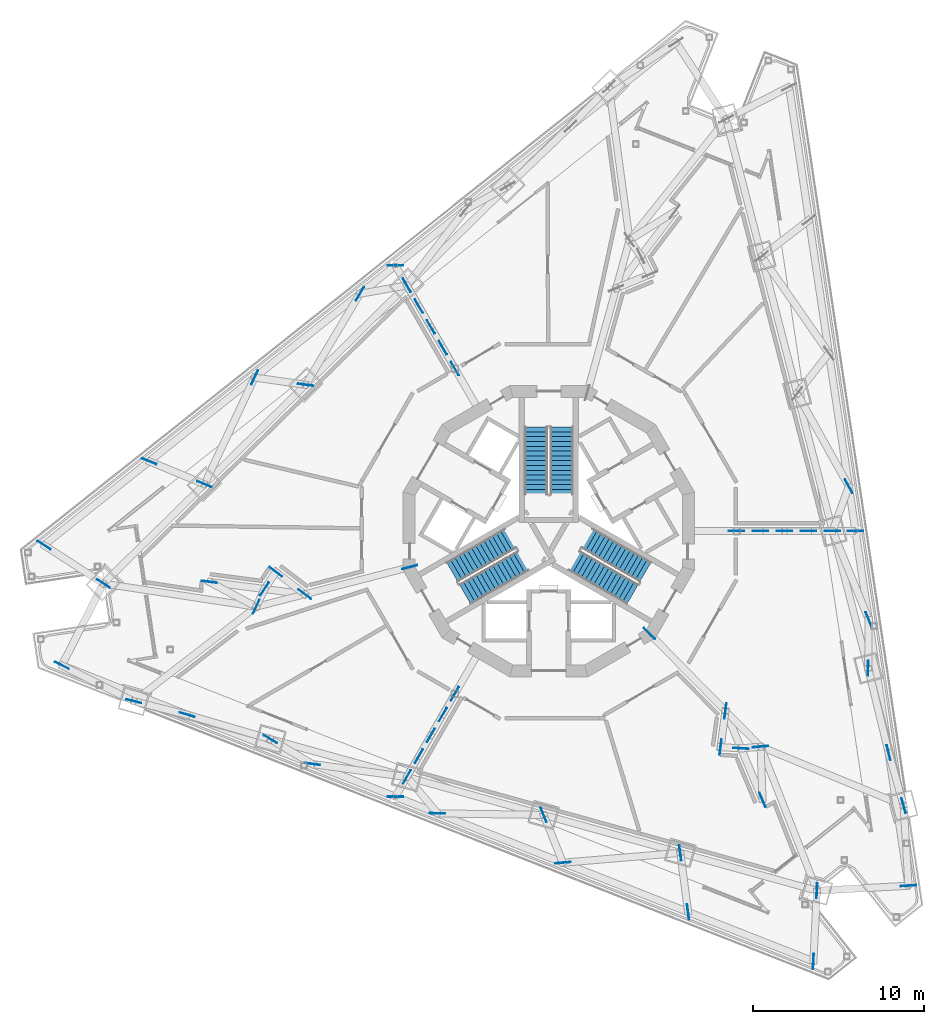
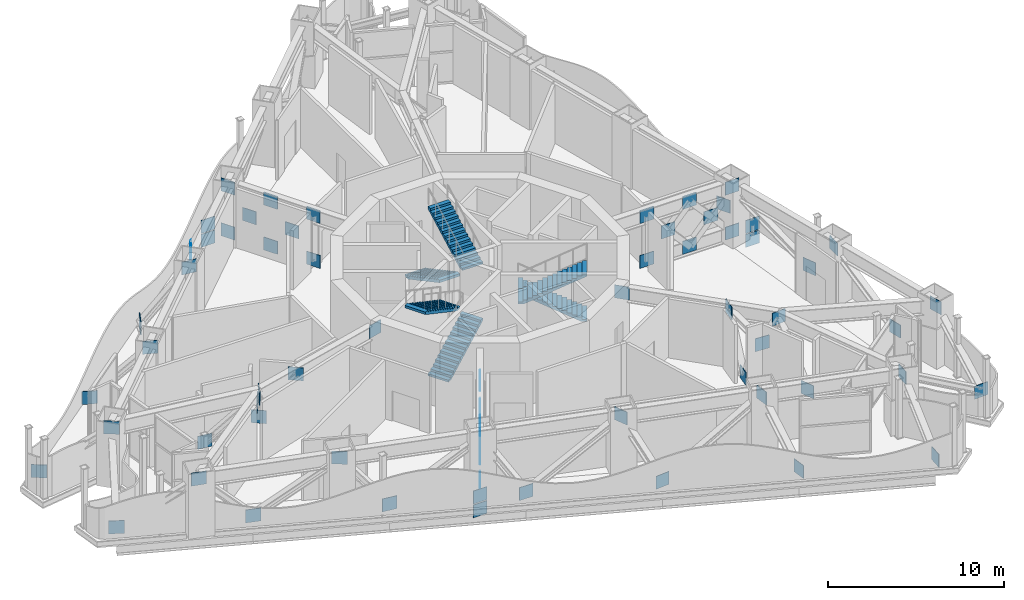
# One storey, part 15 of 27: 67 discrete accessories, 6 stair flights, 3 elements without a shape of their own.
"""IFC4 building model written with IfcOpenShell, lengths in metres."""

from ifc_helpers import new_model, si_unit, direction, frame, origin, origin_2d, place, context, subcontext, project, spatial, polyline, rectangle, outline, extrude, material, type_object, element, aggregate, save


model = new_model("IFC4")

# Units and contexts
model_context = context("Model", 3, precision=1e-05, world=origin(), true_north=direction((0.0, 1.0)))
body_context = subcontext(model_context, "Body", "Model", "MODEL_VIEW")
ifc_project = project(units=[si_unit("LENGTHUNIT", "METRE"), si_unit("AREAUNIT", "SQUARE_METRE"), si_unit("VOLUMEUNIT", "CUBIC_METRE"), si_unit("PLANEANGLEUNIT", "RADIAN"), si_unit("MASSUNIT", "GRAM", prefix="KILO")], contexts=[model_context])

# Site, building, storey
site_placement = place(None, origin())
site = spatial("IfcSite", under=ifc_project, at=site_placement, CompositionType="ELEMENT")
building_placement = place(site_placement, origin())
building = spatial("IfcBuilding", under=site, at=building_placement, Name="Trine Commons Tower", CompositionType="ELEMENT")
storey_placement = place(building_placement, frame((0.0, 0.0, 230.39990234375)))
storey = spatial("IfcBuildingStorey", under=building, at=storey_placement, Name="L60", CompositionType="ELEMENT", Elevation=230.39990234375)

# Stair, stair flights
ifc_material_1 = material(Name="Concrete C50/60", Category="concrete")
stair_type = type_object("IfcStairType", Name="Exit stair, dog-leg, 30 risers of 150 mm", PredefinedType="HALF_TURN_STAIR", material=ifc_material_1)
stair_1_placement = place(storey_placement, origin())
stair_1 = element("IfcStair", 1, at=stair_1_placement, inside=storey, type_object=stair_type, Name="L60 Exit stair ST1C", PredefinedType="HALF_TURN_STAIR")
stair_flight_type = type_object("IfcStairFlightType", Name="Stair flight, 1350 wide, 15 risers of 150 mm", PredefinedType="STRAIGHT", material=ifc_material_1)
stair_flight_1_placement = place(storey_placement, frame((79.25, 68.570556640625, 0.0), z_axis=(0.0, 0.0, 1.0), x_axis=(0.0, -1.0, 0.0)))
stair_flight_1 = element("IfcStairFlight", 2, at=stair_flight_1_placement, type_object=stair_flight_type, Name="ST1C flight 1", NumberOfRisers=15, NumberOfTreads=14, PredefinedType="STRAIGHT", RiserHeight=0.15, TreadLength=0.28, context=body_context, shape_type="SweptSolid", body=[
    extrude(outline(polyline([(0.0, 0.0), (0.0, 0.14990234375), (0.280029296875, 0.14990234375), (0.280029296875, 0.300048828125), (0.56005859375, 0.300048828125), (0.56005859375, 0.449951171875), (0.840087890625, 0.449951171875), (0.840087890625, 0.60009765625), (1.1201171875, 0.60009765625), (1.1201171875, 0.75), (1.39990234375, 0.75), (1.39990234375, 0.89990234375), (1.679931640625, 0.89990234375), (1.679931640625, 1.050048828125), (1.9599609375, 1.050048828125), (1.9599609375, 1.199951171875), (2.239990234375, 1.199951171875), (2.239990234375, 1.35009765625), (2.52001953125, 1.35009765625), (2.52001953125, 1.5), (2.800048828125, 1.5), (2.800048828125, 1.64990234375), (3.080078125, 1.64990234375), (3.080078125, 1.800048828125), (3.360107421875, 1.800048828125), (3.360107421875, 1.949951171875), (3.639892578125, 1.949951171875), (3.639892578125, 2.10009765625), (3.919921875, 2.10009765625), (3.919921875, 2.25), (3.919921875, 1.929931640625), (0.3173828125, 0.0), (0.0, 0.0)])), frame((0.0, 0.675048828125, 0.0), z_axis=(0.0, -1.0, 0.0), x_axis=(1.0, 0.0, 0.0)), (0.0, 0.0, 1.0), 1.35009765625),
])
stair_flight_2_placement = place(storey_placement, frame((80.75, 64.650634765625, 2.25), z_axis=(0.0, 0.0, 1.0), x_axis=(0.0, 1.0, 0.0)))
stair_flight_2 = element("IfcStairFlight", 3, at=stair_flight_2_placement, type_object=stair_flight_type, Name="ST1C flight 2", NumberOfRisers=15, NumberOfTreads=14, PredefinedType="STRAIGHT", RiserHeight=0.15, TreadLength=0.28, context=body_context, shape_type="SweptSolid", body=[
    extrude(outline(polyline([(0.0, 0.0), (0.0, 0.14990234375), (0.280029296875, 0.14990234375), (0.280029296875, 0.300048828125), (0.56005859375, 0.300048828125), (0.56005859375, 0.449951171875), (0.840087890625, 0.449951171875), (0.840087890625, 0.60009765625), (1.1201171875, 0.60009765625), (1.1201171875, 0.75), (1.39990234375, 0.75), (1.39990234375, 0.89990234375), (1.679931640625, 0.89990234375), (1.679931640625, 1.050048828125), (1.9599609375, 1.050048828125), (1.9599609375, 1.199951171875), (2.239990234375, 1.199951171875), (2.239990234375, 1.35009765625), (2.52001953125, 1.35009765625), (2.52001953125, 1.5), (2.800048828125, 1.5), (2.800048828125, 1.64990234375), (3.080078125, 1.64990234375), (3.080078125, 1.800048828125), (3.360107421875, 1.800048828125), (3.360107421875, 1.949951171875), (3.639892578125, 1.949951171875), (3.639892578125, 2.10009765625), (3.919921875, 2.10009765625), (3.919921875, 2.25), (3.919921875, 1.929931640625), (0.3173828125, 0.0), (0.0, 0.0)])), frame((0.0, 0.675048828125, 0.0), z_axis=(0.0, -1.0, 0.0), x_axis=(1.0, 0.0, 0.0)), (0.0, 0.0, 1.0), 1.35009765625),
])
aggregate(stair_1, [stair_flight_1, stair_flight_2])

stair_2_placement = place(storey_placement, origin())
stair_2 = element("IfcStair", 4, at=stair_2_placement, inside=storey, type_object=stair_type, Name="L60 Exit stair ST2C", PredefinedType="HALF_TURN_STAIR")
stair_flight_3_placement = place(storey_placement, frame((75.11767578125, 58.815185546875, 0.0), z_axis=(0.0, 0.0, 1.0), x_axis=(0.866025403784, 0.5, 0.0)))
stair_flight_3 = element("IfcStairFlight", 5, at=stair_flight_3_placement, type_object=stair_flight_type, Name="ST2C flight 1", NumberOfRisers=15, NumberOfTreads=14, PredefinedType="STRAIGHT", RiserHeight=0.15, TreadLength=0.28, context=body_context, shape_type="SweptSolid", body=[
    extrude(outline(polyline([(0.0, 0.0), (0.0, 0.14990234375), (0.280029296875, 0.14990234375), (0.280029296875, 0.300048828125), (0.56005859375, 0.300048828125), (0.56005859375, 0.449951171875), (0.840087890625, 0.449951171875), (0.840087890625, 0.60009765625), (1.1201171875, 0.60009765625), (1.1201171875, 0.75), (1.39990234375, 0.75), (1.39990234375, 0.89990234375), (1.679931640625, 0.89990234375), (1.679931640625, 1.050048828125), (1.9599609375, 1.050048828125), (1.9599609375, 1.199951171875), (2.239990234375, 1.199951171875), (2.239990234375, 1.35009765625), (2.52001953125, 1.35009765625), (2.52001953125, 1.5), (2.800048828125, 1.5), (2.800048828125, 1.64990234375), (3.080078125, 1.64990234375), (3.080078125, 1.800048828125), (3.360107421875, 1.800048828125), (3.360107421875, 1.949951171875), (3.639892578125, 1.949951171875), (3.639892578125, 2.10009765625), (3.919921875, 2.10009765625), (3.919921875, 2.25), (3.919921875, 1.929931640625), (0.3173828125, 0.0), (0.0, 0.0)])), frame((0.0, 0.675048828125, 0.0), z_axis=(0.0, -1.0, 0.0), x_axis=(1.0, 0.0, 0.0)), (0.0, 0.0, 1.0), 1.35009765625),
])
stair_flight_4_placement = place(storey_placement, frame((77.762451171875, 62.07421875, 2.25), z_axis=(0.0, 0.0, 1.0), x_axis=(-0.866025403784, -0.5, 0.0)))
stair_flight_4 = element("IfcStairFlight", 6, at=stair_flight_4_placement, type_object=stair_flight_type, Name="ST2C flight 2", NumberOfRisers=15, NumberOfTreads=14, PredefinedType="STRAIGHT", RiserHeight=0.15, TreadLength=0.28, context=body_context, shape_type="SweptSolid", body=[
    extrude(outline(polyline([(0.0, 0.0), (0.0, 0.14990234375), (0.280029296875, 0.14990234375), (0.280029296875, 0.300048828125), (0.56005859375, 0.300048828125), (0.56005859375, 0.449951171875), (0.840087890625, 0.449951171875), (0.840087890625, 0.60009765625), (1.1201171875, 0.60009765625), (1.1201171875, 0.75), (1.39990234375, 0.75), (1.39990234375, 0.89990234375), (1.679931640625, 0.89990234375), (1.679931640625, 1.050048828125), (1.9599609375, 1.050048828125), (1.9599609375, 1.199951171875), (2.239990234375, 1.199951171875), (2.239990234375, 1.35009765625), (2.52001953125, 1.35009765625), (2.52001953125, 1.5), (2.800048828125, 1.5), (2.800048828125, 1.64990234375), (3.080078125, 1.64990234375), (3.080078125, 1.800048828125), (3.360107421875, 1.800048828125), (3.360107421875, 1.949951171875), (3.639892578125, 1.949951171875), (3.639892578125, 2.10009765625), (3.919921875, 2.10009765625), (3.919921875, 2.25), (3.919921875, 1.929931640625), (0.3173828125, 0.0), (0.0, 0.0)])), frame((0.0, 0.675048828125, 0.0), z_axis=(0.0, -1.0, 0.0), x_axis=(1.0, 0.0, 0.0)), (0.0, 0.0, 1.0), 1.35009765625),
])
aggregate(stair_2, [stair_flight_3, stair_flight_4])

stair_3_placement = place(storey_placement, origin())
stair_3 = element("IfcStair", 7, at=stair_3_placement, inside=storey, type_object=stair_type, Name="L60 Exit stair ST3C", PredefinedType="HALF_TURN_STAIR")
stair_flight_5_placement = place(storey_placement, frame((85.63232421875, 60.1142578125, 0.0), z_axis=(0.0, 0.0, 1.0), x_axis=(-0.866025403784, 0.5, 0.0)))
stair_flight_5 = element("IfcStairFlight", 8, at=stair_flight_5_placement, type_object=stair_flight_type, Name="ST3C flight 1", NumberOfRisers=15, NumberOfTreads=14, PredefinedType="STRAIGHT", RiserHeight=0.15, TreadLength=0.28, context=body_context, shape_type="SweptSolid", body=[
    extrude(outline(polyline([(0.0, 0.0), (0.0, 0.14990234375), (0.280029296875, 0.14990234375), (0.280029296875, 0.300048828125), (0.56005859375, 0.300048828125), (0.56005859375, 0.449951171875), (0.840087890625, 0.449951171875), (0.840087890625, 0.60009765625), (1.1201171875, 0.60009765625), (1.1201171875, 0.75), (1.39990234375, 0.75), (1.39990234375, 0.89990234375), (1.679931640625, 0.89990234375), (1.679931640625, 1.050048828125), (1.9599609375, 1.050048828125), (1.9599609375, 1.199951171875), (2.239990234375, 1.199951171875), (2.239990234375, 1.35009765625), (2.52001953125, 1.35009765625), (2.52001953125, 1.5), (2.800048828125, 1.5), (2.800048828125, 1.64990234375), (3.080078125, 1.64990234375), (3.080078125, 1.800048828125), (3.360107421875, 1.800048828125), (3.360107421875, 1.949951171875), (3.639892578125, 1.949951171875), (3.639892578125, 2.10009765625), (3.919921875, 2.10009765625), (3.919921875, 2.25), (3.919921875, 1.929931640625), (0.3173828125, 0.0), (0.0, 0.0)])), frame((0.0, 0.675048828125, 0.0), z_axis=(0.0, -1.0, 0.0), x_axis=(1.0, 0.0, 0.0)), (0.0, 0.0, 1.0), 1.35009765625),
])
stair_flight_6_placement = place(storey_placement, frame((81.487548828125, 60.775146484375, 2.25), z_axis=(0.0, 0.0, 1.0), x_axis=(0.866025403784, -0.5, 0.0)))
stair_flight_6 = element("IfcStairFlight", 9, at=stair_flight_6_placement, type_object=stair_flight_type, Name="ST3C flight 2", NumberOfRisers=15, NumberOfTreads=14, PredefinedType="STRAIGHT", RiserHeight=0.15, TreadLength=0.28, context=body_context, shape_type="SweptSolid", body=[
    extrude(outline(polyline([(0.0, 0.0), (0.0, 0.14990234375), (0.280029296875, 0.14990234375), (0.280029296875, 0.300048828125), (0.56005859375, 0.300048828125), (0.56005859375, 0.449951171875), (0.840087890625, 0.449951171875), (0.840087890625, 0.60009765625), (1.1201171875, 0.60009765625), (1.1201171875, 0.75), (1.39990234375, 0.75), (1.39990234375, 0.89990234375), (1.679931640625, 0.89990234375), (1.679931640625, 1.050048828125), (1.9599609375, 1.050048828125), (1.9599609375, 1.199951171875), (2.239990234375, 1.199951171875), (2.239990234375, 1.35009765625), (2.52001953125, 1.35009765625), (2.52001953125, 1.5), (2.800048828125, 1.5), (2.800048828125, 1.64990234375), (3.080078125, 1.64990234375), (3.080078125, 1.800048828125), (3.360107421875, 1.800048828125), (3.360107421875, 1.949951171875), (3.639892578125, 1.949951171875), (3.639892578125, 2.10009765625), (3.919921875, 2.10009765625), (3.919921875, 2.25), (3.919921875, 1.929931640625), (0.3173828125, 0.0), (0.0, 0.0)])), frame((0.0, 0.675048828125, 0.0), z_axis=(0.0, -1.0, 0.0), x_axis=(1.0, 0.0, 0.0)), (0.0, 0.0, 1.0), 1.35009765625),
])
aggregate(stair_3, [stair_flight_5, stair_flight_6])

# Discrete accessories
ifc_material_2 = material(Name="Structural steel ASTM A572 Gr50", Category="steel")
for number, where, z_axis, x_axis, name in (
    (10, (71.056396484375, 47.009521484375, -0.89990234375), (0.0, 0.0, 1.0), (1.0, 0.0, 0.0), "Gusset plate GP6-01"),
    (11, (71.056396484375, 77.990478515625, -0.89990234375), (0.0, 0.0, 1.0), (1.0, 0.0, 0.0), "Gusset plate GP6-02"),
    (12, (97.886962890625, 62.5, -0.89990234375), (0.0, 0.0, 1.0), (1.0, 0.0, 0.0), "Gusset plate GP6-03"),
    (13, (50.5556640625, 61.683349609375, 0.0185546875), (0.0, 0.0, 1.0), (0.839809417029, -0.542881334243, 0.0), "Gusset plate GP6-04"),
    (14, (51.603515625, 54.67236328125, 0.0185546875), (0.0, 0.0, 1.0), (0.894762967973, -0.446541410335, 0.0), "Gusset plate GP6-05"),
    (15, (56.699462890625, 66.570556640625, 0.0185546875), (0.0, 0.0, 1.0), (0.924039749516, -0.38229640505, 0.0), "Gusset plate GP6-06"),
    (16, (58.90771484375, 51.794921875, 0.0185546875), (0.0, 0.0, 1.0), (0.959545257791, -0.281554432129, 0.0), "Gusset plate GP6-07"),
    (17, (60.20166015625, 59.541015625, 0.0185546875), (0.0, 0.0, 1.0), (0.991725025156, -0.128380195045, 0.0), "Gusset plate GP6-08"),
    (18, (62.843505859375, 71.45751953125, 0.0185546875), (0.0, 0.0, 1.0), (-0.425479216146, -0.904968196473, 0.0), "Gusset plate GP6-09"),
    (19, (64.082763671875, 60.12109375, 0.0185546875), (0.0, 0.0, 1.0), (0.792044651559, -0.610463160179, 0.0), "Gusset plate GP6-10"),
    (20, (66.212158203125, 48.917724609375, 0.0185546875), (0.0, 0.0, 1.0), (0.990714649325, -0.135957653747, 0.0), "Gusset plate GP6-11"),
    (21, (68.9873046875, 76.3447265625, 0.0185546875), (0.0, 0.0, 1.0), (-0.51255249175, -0.85865589336, 0.0), "Gusset plate GP6-12"),
    (22, (73.516357421875, 46.04052734375, 0.0185546875), (0.0, 0.0, 1.0), (0.999893808439, -0.01457298339, 0.0), "Gusset plate GP6-13"),
    (23, (80.82080078125, 43.1630859375, 0.0185546875), (0.0, 0.0, 1.0), (0.996463589463, 0.084025679855, 0.0), "Gusset plate GP6-15"),
    (24, (88.125, 40.285888671875, 0.0185546875), (0.0, 0.0, 1.0), (-0.130941476209, 0.991390099713, 0.0), "Gusset plate GP6-20"),
    (25, (90.018798828125, 49.90478515625, 0.0185546875), (0.0, 0.0, 1.0), (0.132636979943, 0.991164684375, 0.0), "Gusset plate GP6-21"),
    (26, (92.461669921875, 46.83349609375, 0.0185546875), (0.0, 0.0, 1.0), (-0.384682002326, 0.923049162876, 0.0), "Gusset plate GP6-22"),
    (27, (95.429443359375, 37.40869140625, 0.0185546875), (0.0, 0.0, 1.0), (0.05024431818, 0.998736956606, 0.0), "Gusset plate GP6-25"),
    (28, (97.49609375, 65.11474609375, 0.0185546875), (0.0, 0.0, 1.0), (-0.487326330395, 0.87321993089, 0.0), "Gusset plate GP6-27"),
    (29, (98.656494140625, 57.350341796875, 0.0185546875), (0.0, 0.0, 1.0), (-0.377614542679, 0.92596288109, 0.0), "Gusset plate GP6-28"),
    (30, (99.81689453125, 49.586181640625, 0.0185546875), (0.0, 0.0, 1.0), (-0.23592237754, 0.971771903162, 0.0), "Gusset plate GP6-29"),
    (31, (100.977294921875, 41.82177734375, 0.0185546875), (0.0, 0.0, 1.0), (-0.998520580867, -0.054375082394, 0.0), "Gusset plate GP6-30"),
    (32, (71.056396484375, 47.009521484375, 0.064453125), (0.0, 0.0, 1.0), (1.0, 0.0, 0.0), "Gusset plate GP6-31"),
    (33, (71.056396484375, 77.990478515625, 0.064453125), (0.0, 0.0, 1.0), (1.0, 0.0, 0.0), "Gusset plate GP6-32"),
    (34, (71.722412109375, 48.1630859375, 0.064453125), (0.0, 0.0, 1.0), (-0.499984884929, -0.866034130299, 0.0), "Gusset plate GP6-33"),
    (35, (71.722412109375, 76.837158203125, 0.064453125), (0.0, 0.0, 1.0), (-0.499954654331, 0.866051582536, 0.0), "Gusset plate GP6-34"),
    (36, (73.123779296875, 50.590087890625, 0.064453125), (0.0, 0.0, 1.0), (-0.499984884929, -0.866034130299, 0.0), "Gusset plate GP6-35"),
    (37, (73.123779296875, 74.409912109375, 0.064453125), (0.0, 0.0, 1.0), (-0.500045344299, 0.865999222659, 0.0), "Gusset plate GP6-36"),
    (38, (74.52490234375, 53.01708984375, 0.064453125), (0.0, 0.0, 1.0), (-0.5, -0.866025403784, 0.0), "Gusset plate GP6-37"),
    (39, (74.52490234375, 71.98291015625, 0.064453125), (0.0, 0.0, 1.0), (-0.5, 0.866025403784, 0.0), "Gusset plate GP6-38"),
    (40, (90.949951171875, 62.5, 0.064453125), (0.0, 0.0, 1.0), (1.0, 0.0, 0.0), "Gusset plate GP6-39"),
    (41, (93.75244140625, 62.5, 0.064453125), (0.0, 0.0, 1.0), (1.0, 0.0, 0.0), "Gusset plate GP6-40"),
    (42, (96.554931640625, 62.5, 0.064453125), (0.0, 0.0, 1.0), (1.0, 0.0, 0.0), "Gusset plate GP6-41"),
    (43, (97.886962890625, 62.5, 0.064453125), (0.0, 0.0, 1.0), (1.0, 0.0, 0.0), "Gusset plate GP6-42"),
    (44, (72.423095703125, 49.37646484375, 1.625244140625), (0.0, 0.0, 1.0), (-0.500045344299, -0.865999222659, 0.0), "Gusset plate GP6-43"),
    (45, (72.423095703125, 75.62353515625, 1.625244140625), (0.0, 0.0, 1.0), (-0.499984884929, 0.866034130299, 0.0), "Gusset plate GP6-44"),
    (46, (73.824462890625, 51.803466796875, 1.625244140625), (0.0, 0.0, 1.0), (-0.499984884929, -0.866034130299, 0.0), "Gusset plate GP6-45"),
    (47, (73.824462890625, 73.196533203125, 1.625244140625), (0.0, 0.0, 1.0), (-0.499984884929, 0.866034130299, 0.0), "Gusset plate GP6-46"),
    (48, (92.351318359375, 62.5, 1.625244140625), (0.0, 0.0, 1.0), (1.0, 0.0, 0.0), "Gusset plate GP6-47"),
    (49, (95.15380859375, 62.5, 1.625244140625), (0.0, 0.0, 1.0), (1.0, 0.0, 0.0), "Gusset plate GP6-48"),
    (50, (63.421875, 59.124267578125, 1.8544921875), (0.0, 0.0, 1.0), (-0.552519012888, -0.833500294179, 0.0), "Gusset plate GP6-49"),
    (51, (91.212646484375, 49.830810546875, 1.8544921875), (0.0, 0.0, 1.0), (0.998089779338, -0.061780194089, 0.0), "Gusset plate GP6-51"),
    (52, (71.722412109375, 76.837158203125, 3.185791015625), (0.0, 0.0, 1.0), (-0.5, 0.866025403784, 0.0), "Gusset plate GP6-52"),
    (53, (71.722412109375, 48.1630859375, 3.185791015625), (0.0, 0.0, 1.0), (-0.5, -0.866025403784, 0.0), "Gusset plate GP6-53"),
    (54, (73.123779296875, 50.590087890625, 3.185791015625), (0.0, 0.0, 1.0), (-0.5, -0.866025403784, 0.0), "Gusset plate GP6-54"),
    (55, (73.123779296875, 74.409912109375, 3.185791015625), (0.0, 0.0, 1.0), (-0.5, 0.866025403784, 0.0), "Gusset plate GP6-55"),
    (56, (74.52490234375, 53.01708984375, 3.185791015625), (0.0, 0.0, 1.0), (-0.499984884929, -0.866034130299, 0.0), "Gusset plate GP6-56"),
    (57, (74.52490234375, 71.98291015625, 3.185791015625), (0.0, 0.0, 1.0), (-0.499984884929, 0.866034130299, 0.0), "Gusset plate GP6-57"),
    (58, (90.949951171875, 62.5, 3.185791015625), (0.0, 0.0, 1.0), (1.0, 0.0, 0.0), "Gusset plate GP6-58"),
    (59, (93.75244140625, 62.5, 3.185791015625), (0.0, 0.0, 1.0), (1.0, 0.0, 0.0), "Gusset plate GP6-59"),
    (60, (96.554931640625, 62.5, 3.185791015625), (0.0, 0.0, 1.0), (1.0, 0.0, 0.0), "Gusset plate GP6-60"),
    (61, (54.02197265625, 59.442626953125, 3.19384765625), (0.0, 0.0, 1.0), (0.839809417029, -0.542881334243, 0.0), "Gusset plate GP6-61"),
    (62, (55.796875, 52.57958984375, 3.19384765625), (0.0, 0.0, 1.0), (-0.969646250516, 0.24451206281, 0.0), "Gusset plate GP6-62"),
    (63, (59.91943359375, 65.23828125, 3.19384765625), (0.0, 0.0, 1.0), (0.924039749516, -0.38229640505, 0.0), "Gusset plate GP6-63"),
    (64, (62.9375, 58.08740234375, 3.19384765625), (0.0, 0.0, 1.0), (-0.423250880897, -0.906012522993, 0.0), "Gusset plate GP6-64"),
    (65, (63.764892578125, 50.369873046875, 3.19384765625), (0.0, 0.0, 1.0), (-0.860003714879, 0.510287772138, 0.0), "Gusset plate GP6-65"),
    (66, (65.77099609375, 58.820068359375, 3.19384765625), (0.0, 0.0, 1.0), (0.792044651559, -0.610463160179, 0.0), "Gusset plate GP6-66"),
    (67, (65.817138671875, 71.033935546875, 3.19384765625), (0.0, 0.0, 1.0), (0.990001512789, -0.141056742751, 0.0), "Gusset plate GP6-67"),
    (68, (71.88720703125, 60.40185546875, 3.19384765625), (0.0, 0.0, 1.0), (-0.968147640378, -0.250380004054, 0.0), "Gusset plate GP6-68"),
    (69, (79.70068359375, 45.950439453125, 3.19384765625), (0.0, 0.0, 1.0), (-0.37285822856, 0.927888323773, 0.0), "Gusset plate GP6-70"),
    (70, (85.87353515625, 56.523193359375, 3.19384765625), (0.0, 0.0, 1.0), (0.7009092643, -0.713250449154, 0.0), "Gusset plate GP6-75"),
    (71, (87.668701171875, 43.74072265625, 3.19384765625), (0.0, 0.0, 1.0), (-0.130941476209, 0.991390099713, 0.0), "Gusset plate GP6-76"),
    (72, (90.301513671875, 52.01708984375, 3.19384765625), (0.0, 0.0, 1.0), (0.132636979943, 0.991164684375, 0.0), "Gusset plate GP6-77"),
    (73, (92.352783203125, 49.9296875, 3.19384765625), (0.0, 0.0, 1.0), (0.996250773094, 0.086512410153, 0.0), "Gusset plate GP6-79"),
    (74, (95.63671875, 41.531005859375, 3.19384765625), (0.0, 0.0, 1.0), (0.05024431818, 0.998736956606, 0.0), "Gusset plate GP6-82"),
    (75, (98.622802734375, 54.5048828125, 3.19384765625), (0.0, 0.0, 1.0), (-0.01188541236, -0.999929365992, 0.0), "Gusset plate GP6-83"),
    (76, (100.693115234375, 46.499755859375, 3.19384765625), (0.0, 0.0, 1.0), (0.273069467333, -0.961994317037, 0.0), "Gusset plate GP6-84"),
):
    element("IfcDiscreteAccessory", number, at=place(storey_placement, frame(where, z_axis=z_axis, x_axis=x_axis)), inside=storey, material=ifc_material_2, Name=name, PredefinedType="BRACKET", context=body_context, shape_type="SweptSolid", body=[
        extrude(rectangle(XDim=0.89990234375, YDim=0.0400390625, at=origin_2d()), origin(), (0.0, 0.0, 1.0), 0.89990234375),
    ])

save(model, "model.ifc")
